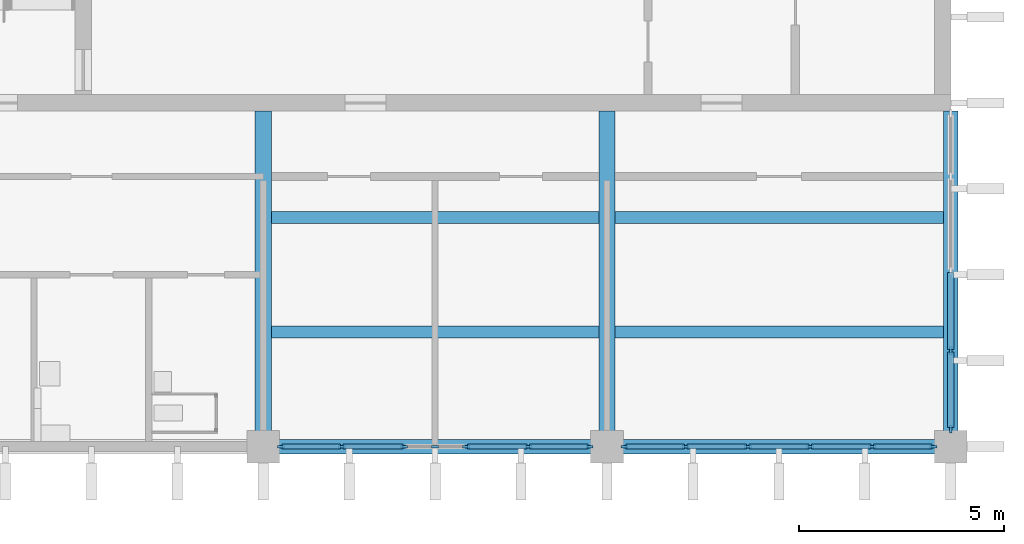
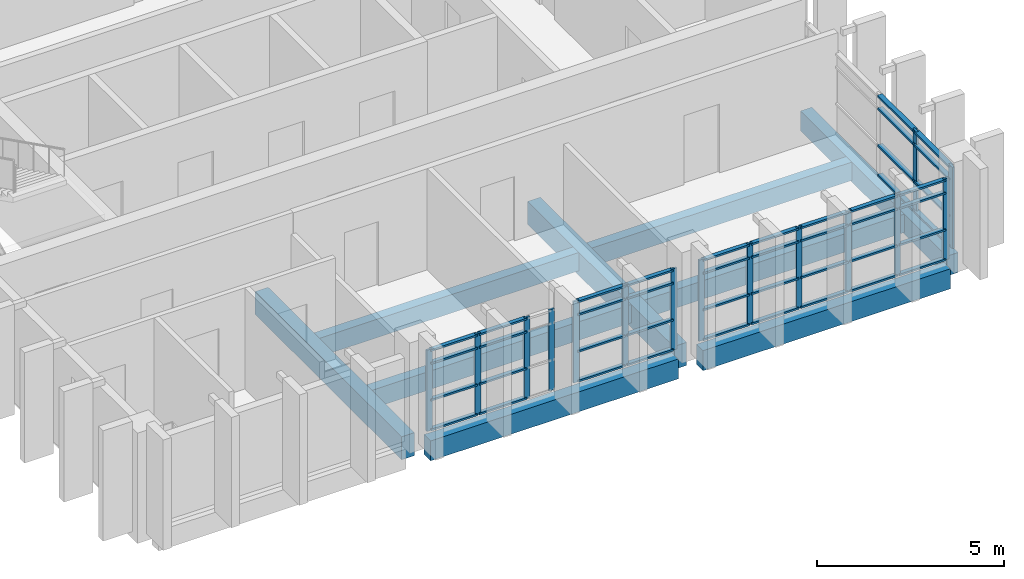
# One storey, part 2 of 11: 59 members, 9 beams, 3 elements without a shape of their own.
"""IFC4 building model written with IfcOpenShell, lengths in metres."""

from ifc_helpers import new_model, si_unit, direction, frame, origin, origin_2d, place, context, subcontext, project, spatial, rectangle, extrude, material, layer, layer_set, material_profile, profile_set, type_object, element, aggregate, save


model = new_model("IFC4")

# Units and contexts
model_context = context("Model", 3, precision=1e-05, world=origin(), true_north=direction((0.0, 1.0)))
body_context = subcontext(model_context, "Body", "Model", "MODEL_VIEW")
ifc_project = project(units=[si_unit("LENGTHUNIT", "METRE"), si_unit("AREAUNIT", "SQUARE_METRE"), si_unit("VOLUMEUNIT", "CUBIC_METRE"), si_unit("PLANEANGLEUNIT", "RADIAN"), si_unit("MASSUNIT", "GRAM", prefix="KILO")], contexts=[model_context])

# Site, building, storey
site_placement = place(None, origin())
site = spatial("IfcSite", under=ifc_project, at=site_placement, CompositionType="ELEMENT")
building_placement = place(site_placement, origin())
building = spatial("IfcBuilding", under=site, at=building_placement, Name="Rulbaag Community and Learning Centre", CompositionType="ELEMENT")
storey_placement = place(building_placement, frame((0.0, 0.0, 43.199951171875)))
storey = spatial("IfcBuildingStorey", under=building, at=storey_placement, Name="L11", CompositionType="ELEMENT", Elevation=43.199951171875)

# Beams
ifc_material_1 = material(Name="Concrete M40", Category="concrete")
ifc_material_profile_1 = material_profile(ifc_material_1, rectangle(XDim=0.35009765625, YDim=0.64990234375, at=origin_2d()), Name="RB350x650")
ifc_profile_set_1 = profile_set([ifc_material_profile_1], Name="Concrete M40")
beam_type_1 = type_object("IfcBeamType", Name="B14 Tower edge beam, upper zone 350x650 Concrete M40", PredefinedType="BEAM", material=ifc_profile_set_1)
beam_1_placement = place(storey_placement, frame((151.580078125, 84.0, -0.550048828125), z_axis=(1.0, 0.0, 0.0), x_axis=(0.0, 1.0, 0.0)))
element("IfcBeam", 1, at=beam_1_placement, inside=storey, type_object=beam_type_1, Name="BM-L11-19K-20K", PredefinedType="BEAM", context=body_context, shape_type="SweptSolid", body=[
    extrude(rectangle(XDim=0.35009765625, YDim=0.64990234375, at=origin_2d()), origin(), (0.0, 0.0, 1.0), 7.639892578125),
])
beam_2_placement = place(storey_placement, frame((159.97998046875, 84.0, -0.550048828125), z_axis=(1.0, 0.0, 0.0), x_axis=(0.0, 1.0, 0.0)))
element("IfcBeam", 2, at=beam_2_placement, inside=storey, type_object=beam_type_1, Name="BM-L11-20K-21K", PredefinedType="BEAM", context=body_context, shape_type="SweptSolid", body=[
    extrude(rectangle(XDim=0.35009765625, YDim=0.64990234375, at=origin_2d()), origin(), (0.0, 0.0, 1.0), 7.64013671875),
])
beam_3_placement = place(storey_placement, frame((168.0, 84.3798828125, -0.550048828125), z_axis=(0.0, 1.0, 0.0), x_axis=(-1.0, 0.0, 0.0)))
element("IfcBeam", 3, at=beam_3_placement, inside=storey, type_object=beam_type_1, Name="BM-L11-21K-21L", PredefinedType="BEAM", context=body_context, shape_type="SweptSolid", body=[
    extrude(rectangle(XDim=0.35009765625, YDim=0.64990234375, at=origin_2d()), origin(), (0.0, 0.0, 1.0), 7.820068359375),
])
ifc_material_profile_2 = material_profile(ifc_material_1, rectangle(XDim=0.39990234375, YDim=0.75, at=origin_2d()), Name="RB400x750")
ifc_profile_set_2 = profile_set([ifc_material_profile_2], Name="Concrete M40")
beam_type_2 = type_object("IfcBeamType", Name="B15 Tower frame beam, middle zone 400x750 Concrete M40", PredefinedType="BEAM", material=ifc_profile_set_2)
for number, where, z_axis, x_axis, name in (
    (4, (151.199951171875, 84.3798828125, -0.599853515625), (0.0, 1.0, 0.0), (-1.0, 0.0, 0.0), "BM-L11-19K-19L"),
    (5, (159.60009765625, 84.3798828125, -0.599853515625), (0.0, 1.0, 0.0), (-1.0, 0.0, 0.0), "BM-L11-20K-20L"),
):
    element("IfcBeam", number, at=place(storey_placement, frame(where, z_axis=z_axis, x_axis=x_axis)), inside=storey, type_object=beam_type_2, Name=name, PredefinedType="BEAM", context=body_context, shape_type="SweptSolid", body=[
        extrude(rectangle(XDim=0.39990234375, YDim=0.75, at=origin_2d()), origin(), (0.0, 0.0, 1.0), 7.820068359375),
    ])
ifc_material_profile_3 = material_profile(ifc_material_1, rectangle(XDim=0.300048828125, YDim=0.60009765625, at=origin_2d()), Name="RB300x600")
ifc_profile_set_3 = profile_set([ifc_material_profile_3], Name="Concrete M40")
beam_type_3 = type_object("IfcBeamType", Name="B30 Secondary joist 300x600 Concrete M40", PredefinedType="BEAM", material=ifc_profile_set_3)
for number, where, z_axis, x_axis, name in (
    (6, (151.39990234375, 86.800048828125, -0.52490234375), (1.0, 0.0, 0.0), (0.0, 1.0, 0.0), "BM-JS-L11-19K-1"),
    (7, (151.39990234375, 89.60009765625, -0.52490234375), (1.0, 0.0, 0.0), (0.0, 1.0, 0.0), "BM-JS-L11-19K-2"),
):
    element("IfcBeam", number, at=place(storey_placement, frame(where, z_axis=z_axis, x_axis=x_axis)), inside=storey, type_object=beam_type_3, Name=name, PredefinedType="BEAM", context=body_context, shape_type="SweptSolid", body=[
        extrude(rectangle(XDim=0.300048828125, YDim=0.60009765625, at=origin_2d()), origin(), (0.0, 0.0, 1.0), 8.0),
    ])
for number, where, z_axis, x_axis, name in (
    (8, (159.800048828125, 86.800048828125, -0.52490234375), (1.0, 0.0, 0.0), (0.0, 1.0, 0.0), "BM-JS-L11-20K-1"),
    (9, (159.800048828125, 89.60009765625, -0.52490234375), (1.0, 0.0, 0.0), (0.0, 1.0, 0.0), "BM-JS-L11-20K-2"),
):
    element("IfcBeam", number, at=place(storey_placement, frame(where, z_axis=z_axis, x_axis=x_axis)), inside=storey, type_object=beam_type_3, Name=name, PredefinedType="BEAM", context=body_context, shape_type="SweptSolid", body=[
        extrude(rectangle(XDim=0.300048828125, YDim=0.60009765625, at=origin_2d()), origin(), (0.0, 0.0, 1.0), 8.02490234375),
    ])

# Curtain wall, members
ifc_material_2 = material(Name="Aluminium", Category="aluminium")
ifc_layer_1 = layer(ifc_material_2, 0.14990234375)
ifc_layer_set_1 = layer_set([ifc_layer_1], Name="CW-S")
curtain_wall_type_1 = type_object("IfcCurtainWallType", Name="CW-S", PredefinedType="USERDEFINED", material=ifc_layer_set_1)
curtain_wall_1_placement = place(storey_placement, origin())
curtain_wall_1 = element("IfcCurtainWall", 10, at=curtain_wall_1_placement, inside=storey, type_object=curtain_wall_type_1, Name="GS-L11-01", ObjectType="UNITISED CURTAIN WALL", PredefinedType="USERDEFINED")
ifc_material_3 = material(Name="Aluminium mullion", Category="aluminium")
ifc_material_profile_4 = material_profile(ifc_material_3, rectangle(XDim=0.06005859375, YDim=0.175048828125, at=origin_2d()), Name="AL 60x175")
ifc_profile_set_4 = profile_set([ifc_material_profile_4], Name="Aluminium mullion")
member_type_1 = type_object("IfcMemberType", Name="CW-S-MUL", PredefinedType="MULLION", material=ifc_profile_set_4)
member_1_placement = place(storey_placement, frame((151.6298828125, 84.0, 0.0), z_axis=(0.0, 0.0, 1.0), x_axis=(0.0, 1.0, 0.0)))
member_1 = element("IfcMember", 11, at=member_1_placement, type_object=member_type_1, Name="GS mullion 1", PredefinedType="MULLION", context=body_context, shape_type="SweptSolid", body=[
    extrude(rectangle(XDim=0.06005859375, YDim=0.175048828125, at=origin_2d()), origin(), (0.0, 0.0, 1.0), 2.650146484375),
])
member_2_placement = place(storey_placement, frame((153.1201171875, 84.0, 0.0), z_axis=(0.0, 0.0, 1.0), x_axis=(0.0, 1.0, 0.0)))
member_2 = element("IfcMember", 12, at=member_2_placement, type_object=member_type_1, Name="GS mullion 2", PredefinedType="MULLION", context=body_context, shape_type="SweptSolid", body=[
    extrude(rectangle(XDim=0.06005859375, YDim=0.175048828125, at=origin_2d()), origin(), (0.0, 0.0, 1.0), 2.650146484375),
])
member_3_placement = place(storey_placement, frame((154.639892578125, 84.0, 0.0), z_axis=(0.0, 0.0, 1.0), x_axis=(0.0, 1.0, 0.0)))
member_3 = element("IfcMember", 13, at=member_3_placement, type_object=member_type_1, Name="GS mullion 3", PredefinedType="MULLION", context=body_context, shape_type="SweptSolid", body=[
    extrude(rectangle(XDim=0.06005859375, YDim=0.175048828125, at=origin_2d()), origin(), (0.0, 0.0, 1.0), 2.650146484375),
])
member_4_placement = place(storey_placement, frame((155.39990234375, 84.0, 0.0), z_axis=(0.0, 0.0, 1.0), x_axis=(0.0, 1.0, 0.0)))
member_4 = element("IfcMember", 14, at=member_4_placement, type_object=member_type_1, Name="GS mullion 4", PredefinedType="MULLION", context=body_context, shape_type="SweptSolid", body=[
    extrude(rectangle(XDim=0.06005859375, YDim=0.175048828125, at=origin_2d()), origin(), (0.0, 0.0, 1.0), 2.650146484375),
])
member_5_placement = place(storey_placement, frame((156.159912109375, 84.0, 0.0), z_axis=(0.0, 0.0, 1.0), x_axis=(0.0, 1.0, 0.0)))
member_5 = element("IfcMember", 15, at=member_5_placement, type_object=member_type_1, Name="GS mullion 5", PredefinedType="MULLION", context=body_context, shape_type="SweptSolid", body=[
    extrude(rectangle(XDim=0.06005859375, YDim=0.175048828125, at=origin_2d()), origin(), (0.0, 0.0, 1.0), 2.650146484375),
])
member_6_placement = place(storey_placement, frame((157.679931640625, 84.0, 0.0), z_axis=(0.0, 0.0, 1.0), x_axis=(0.0, 1.0, 0.0)))
member_6 = element("IfcMember", 16, at=member_6_placement, type_object=member_type_1, Name="GS mullion 6", PredefinedType="MULLION", context=body_context, shape_type="SweptSolid", body=[
    extrude(rectangle(XDim=0.06005859375, YDim=0.175048828125, at=origin_2d()), origin(), (0.0, 0.0, 1.0), 2.650146484375),
])
member_7_placement = place(storey_placement, frame((159.169921875, 84.0, 0.0), z_axis=(0.0, 0.0, 1.0), x_axis=(0.0, 1.0, 0.0)))
member_7 = element("IfcMember", 17, at=member_7_placement, type_object=member_type_1, Name="GS mullion 7", PredefinedType="MULLION", context=body_context, shape_type="SweptSolid", body=[
    extrude(rectangle(XDim=0.06005859375, YDim=0.175048828125, at=origin_2d()), origin(), (0.0, 0.0, 1.0), 2.650146484375),
])

curtain_wall_2_placement = place(storey_placement, origin())
curtain_wall_2 = element("IfcCurtainWall", 18, at=curtain_wall_2_placement, inside=storey, type_object=curtain_wall_type_1, Name="GS-L11-02", ObjectType="UNITISED CURTAIN WALL", PredefinedType="USERDEFINED")
member_8_placement = place(storey_placement, frame((160.030029296875, 84.0, 0.0), z_axis=(0.0, 0.0, 1.0), x_axis=(0.0, 1.0, 0.0)))
member_8 = element("IfcMember", 19, at=member_8_placement, type_object=member_type_1, Name="GS mullion 1", PredefinedType="MULLION", context=body_context, shape_type="SweptSolid", body=[
    extrude(rectangle(XDim=0.06005859375, YDim=0.175048828125, at=origin_2d()), origin(), (0.0, 0.0, 1.0), 2.650146484375),
])
member_9_placement = place(storey_placement, frame((161.52001953125, 84.0, 0.0), z_axis=(0.0, 0.0, 1.0), x_axis=(0.0, 1.0, 0.0)))
member_9 = element("IfcMember", 20, at=member_9_placement, type_object=member_type_1, Name="GS mullion 2", PredefinedType="MULLION", context=body_context, shape_type="SweptSolid", body=[
    extrude(rectangle(XDim=0.06005859375, YDim=0.175048828125, at=origin_2d()), origin(), (0.0, 0.0, 1.0), 2.650146484375),
])
member_10_placement = place(storey_placement, frame((163.0400390625, 84.0, 0.0), z_axis=(0.0, 0.0, 1.0), x_axis=(0.0, 1.0, 0.0)))
member_10 = element("IfcMember", 21, at=member_10_placement, type_object=member_type_1, Name="GS mullion 3", PredefinedType="MULLION", context=body_context, shape_type="SweptSolid", body=[
    extrude(rectangle(XDim=0.06005859375, YDim=0.175048828125, at=origin_2d()), origin(), (0.0, 0.0, 1.0), 2.650146484375),
])
member_11_placement = place(storey_placement, frame((164.56005859375, 84.0, 0.0), z_axis=(0.0, 0.0, 1.0), x_axis=(0.0, 1.0, 0.0)))
member_11 = element("IfcMember", 22, at=member_11_placement, type_object=member_type_1, Name="GS mullion 4", PredefinedType="MULLION", context=body_context, shape_type="SweptSolid", body=[
    extrude(rectangle(XDim=0.06005859375, YDim=0.175048828125, at=origin_2d()), origin(), (0.0, 0.0, 1.0), 2.650146484375),
])
member_12_placement = place(storey_placement, frame((166.080078125, 84.0, 0.0), z_axis=(0.0, 0.0, 1.0), x_axis=(0.0, 1.0, 0.0)))
member_12 = element("IfcMember", 23, at=member_12_placement, type_object=member_type_1, Name="GS mullion 5", PredefinedType="MULLION", context=body_context, shape_type="SweptSolid", body=[
    extrude(rectangle(XDim=0.06005859375, YDim=0.175048828125, at=origin_2d()), origin(), (0.0, 0.0, 1.0), 2.650146484375),
])
member_13_placement = place(storey_placement, frame((167.570068359375, 84.0, 0.0), z_axis=(0.0, 0.0, 1.0), x_axis=(0.0, 1.0, 0.0)))
member_13 = element("IfcMember", 24, at=member_13_placement, type_object=member_type_1, Name="GS mullion 6", PredefinedType="MULLION", context=body_context, shape_type="SweptSolid", body=[
    extrude(rectangle(XDim=0.06005859375, YDim=0.175048828125, at=origin_2d()), origin(), (0.0, 0.0, 1.0), 2.650146484375),
])

# Member
ifc_material_4 = material(Name="Aluminium transom", Category="aluminium")
ifc_material_profile_5 = material_profile(ifc_material_4, rectangle(XDim=0.125, YDim=0.06005859375, at=origin_2d()), Name="AL 60x125 T")
ifc_profile_set_5 = profile_set([ifc_material_profile_5], Name="Aluminium transom")
member_type_2 = type_object("IfcMemberType", Name="CW-S-TRN", PredefinedType="USERDEFINED", material=ifc_profile_set_5)
member_14_placement = place(storey_placement, frame((151.659912109375, 84.0, 0.030029296875), z_axis=(1.0, 0.0, 0.0), x_axis=(0.0, 1.0, 0.0)))
member_14 = element("IfcMember", 25, at=member_14_placement, type_object=member_type_2, Name="GS transom 1.1", ObjectType="TRANSOM", PredefinedType="USERDEFINED", context=body_context, shape_type="SweptSolid", body=[
    extrude(rectangle(XDim=0.125, YDim=0.06005859375, at=origin_2d()), origin(), (0.0, 0.0, 1.0), 1.43017578125),
])

member_15_placement = place(storey_placement, frame((151.659912109375, 84.0, 1.0), z_axis=(1.0, 0.0, 0.0), x_axis=(0.0, 1.0, 0.0)))
member_15 = element("IfcMember", 26, at=member_15_placement, type_object=member_type_2, Name="GS transom 1.2", ObjectType="TRANSOM", PredefinedType="USERDEFINED", context=body_context, shape_type="SweptSolid", body=[
    extrude(rectangle(XDim=0.125, YDim=0.06005859375, at=origin_2d()), origin(), (0.0, 0.0, 1.0), 1.43017578125),
])

member_16_placement = place(storey_placement, frame((151.659912109375, 84.0, 2.199951171875), z_axis=(1.0, 0.0, 0.0), x_axis=(0.0, 1.0, 0.0)))
member_16 = element("IfcMember", 27, at=member_16_placement, type_object=member_type_2, Name="GS transom 1.3", ObjectType="TRANSOM", PredefinedType="USERDEFINED", context=body_context, shape_type="SweptSolid", body=[
    extrude(rectangle(XDim=0.125, YDim=0.06005859375, at=origin_2d()), origin(), (0.0, 0.0, 1.0), 1.43017578125),
])

member_17_placement = place(storey_placement, frame((151.659912109375, 84.0, 2.6201171875), z_axis=(1.0, 0.0, 0.0), x_axis=(0.0, 1.0, 0.0)))
member_17 = element("IfcMember", 28, at=member_17_placement, type_object=member_type_2, Name="GS transom 1.4", ObjectType="TRANSOM", PredefinedType="USERDEFINED", context=body_context, shape_type="SweptSolid", body=[
    extrude(rectangle(XDim=0.125, YDim=0.06005859375, at=origin_2d()), origin(), (0.0, 0.0, 1.0), 1.43017578125),
])

member_18_placement = place(storey_placement, frame((153.14990234375, 84.0, 0.030029296875), z_axis=(1.0, 0.0, 0.0), x_axis=(0.0, 1.0, 0.0)))
member_18 = element("IfcMember", 29, at=member_18_placement, type_object=member_type_2, Name="GS transom 2.1", ObjectType="TRANSOM", PredefinedType="USERDEFINED", context=body_context, shape_type="SweptSolid", body=[
    extrude(rectangle(XDim=0.125, YDim=0.06005859375, at=origin_2d()), origin(), (0.0, 0.0, 1.0), 1.460205078125),
])

member_19_placement = place(storey_placement, frame((153.14990234375, 84.0, 1.0), z_axis=(1.0, 0.0, 0.0), x_axis=(0.0, 1.0, 0.0)))
member_19 = element("IfcMember", 30, at=member_19_placement, type_object=member_type_2, Name="GS transom 2.2", ObjectType="TRANSOM", PredefinedType="USERDEFINED", context=body_context, shape_type="SweptSolid", body=[
    extrude(rectangle(XDim=0.125, YDim=0.06005859375, at=origin_2d()), origin(), (0.0, 0.0, 1.0), 1.460205078125),
])

member_20_placement = place(storey_placement, frame((153.14990234375, 84.0, 2.199951171875), z_axis=(1.0, 0.0, 0.0), x_axis=(0.0, 1.0, 0.0)))
member_20 = element("IfcMember", 31, at=member_20_placement, type_object=member_type_2, Name="GS transom 2.3", ObjectType="TRANSOM", PredefinedType="USERDEFINED", context=body_context, shape_type="SweptSolid", body=[
    extrude(rectangle(XDim=0.125, YDim=0.06005859375, at=origin_2d()), origin(), (0.0, 0.0, 1.0), 1.460205078125),
])

member_21_placement = place(storey_placement, frame((153.14990234375, 84.0, 2.6201171875), z_axis=(1.0, 0.0, 0.0), x_axis=(0.0, 1.0, 0.0)))
member_21 = element("IfcMember", 32, at=member_21_placement, type_object=member_type_2, Name="GS transom 2.4", ObjectType="TRANSOM", PredefinedType="USERDEFINED", context=body_context, shape_type="SweptSolid", body=[
    extrude(rectangle(XDim=0.125, YDim=0.06005859375, at=origin_2d()), origin(), (0.0, 0.0, 1.0), 1.460205078125),
])

member_22_placement = place(storey_placement, frame((156.18994140625, 84.0, 0.030029296875), z_axis=(1.0, 0.0, 0.0), x_axis=(0.0, 1.0, 0.0)))
member_22 = element("IfcMember", 33, at=member_22_placement, type_object=member_type_2, Name="GS transom 5.1", ObjectType="TRANSOM", PredefinedType="USERDEFINED", context=body_context, shape_type="SweptSolid", body=[
    extrude(rectangle(XDim=0.125, YDim=0.06005859375, at=origin_2d()), origin(), (0.0, 0.0, 1.0), 1.4599609375),
])

member_23_placement = place(storey_placement, frame((156.18994140625, 84.0, 1.0), z_axis=(1.0, 0.0, 0.0), x_axis=(0.0, 1.0, 0.0)))
member_23 = element("IfcMember", 34, at=member_23_placement, type_object=member_type_2, Name="GS transom 5.2", ObjectType="TRANSOM", PredefinedType="USERDEFINED", context=body_context, shape_type="SweptSolid", body=[
    extrude(rectangle(XDim=0.125, YDim=0.06005859375, at=origin_2d()), origin(), (0.0, 0.0, 1.0), 1.4599609375),
])

member_24_placement = place(storey_placement, frame((156.18994140625, 84.0, 2.199951171875), z_axis=(1.0, 0.0, 0.0), x_axis=(0.0, 1.0, 0.0)))
member_24 = element("IfcMember", 35, at=member_24_placement, type_object=member_type_2, Name="GS transom 5.3", ObjectType="TRANSOM", PredefinedType="USERDEFINED", context=body_context, shape_type="SweptSolid", body=[
    extrude(rectangle(XDim=0.125, YDim=0.06005859375, at=origin_2d()), origin(), (0.0, 0.0, 1.0), 1.4599609375),
])

member_25_placement = place(storey_placement, frame((156.18994140625, 84.0, 2.6201171875), z_axis=(1.0, 0.0, 0.0), x_axis=(0.0, 1.0, 0.0)))
member_25 = element("IfcMember", 36, at=member_25_placement, type_object=member_type_2, Name="GS transom 5.4", ObjectType="TRANSOM", PredefinedType="USERDEFINED", context=body_context, shape_type="SweptSolid", body=[
    extrude(rectangle(XDim=0.125, YDim=0.06005859375, at=origin_2d()), origin(), (0.0, 0.0, 1.0), 1.4599609375),
])

member_26_placement = place(storey_placement, frame((157.7099609375, 84.0, 0.030029296875), z_axis=(1.0, 0.0, 0.0), x_axis=(0.0, 1.0, 0.0)))
member_26 = element("IfcMember", 37, at=member_26_placement, type_object=member_type_2, Name="GS transom 6.1", ObjectType="TRANSOM", PredefinedType="USERDEFINED", context=body_context, shape_type="SweptSolid", body=[
    extrude(rectangle(XDim=0.125, YDim=0.06005859375, at=origin_2d()), origin(), (0.0, 0.0, 1.0), 1.429931640625),
])

member_27_placement = place(storey_placement, frame((157.7099609375, 84.0, 1.0), z_axis=(1.0, 0.0, 0.0), x_axis=(0.0, 1.0, 0.0)))
member_27 = element("IfcMember", 38, at=member_27_placement, type_object=member_type_2, Name="GS transom 6.2", ObjectType="TRANSOM", PredefinedType="USERDEFINED", context=body_context, shape_type="SweptSolid", body=[
    extrude(rectangle(XDim=0.125, YDim=0.06005859375, at=origin_2d()), origin(), (0.0, 0.0, 1.0), 1.429931640625),
])

member_28_placement = place(storey_placement, frame((157.7099609375, 84.0, 2.199951171875), z_axis=(1.0, 0.0, 0.0), x_axis=(0.0, 1.0, 0.0)))
member_28 = element("IfcMember", 39, at=member_28_placement, type_object=member_type_2, Name="GS transom 6.3", ObjectType="TRANSOM", PredefinedType="USERDEFINED", context=body_context, shape_type="SweptSolid", body=[
    extrude(rectangle(XDim=0.125, YDim=0.06005859375, at=origin_2d()), origin(), (0.0, 0.0, 1.0), 1.429931640625),
])

member_29_placement = place(storey_placement, frame((157.7099609375, 84.0, 2.6201171875), z_axis=(1.0, 0.0, 0.0), x_axis=(0.0, 1.0, 0.0)))
member_29 = element("IfcMember", 40, at=member_29_placement, type_object=member_type_2, Name="GS transom 6.4", ObjectType="TRANSOM", PredefinedType="USERDEFINED", context=body_context, shape_type="SweptSolid", body=[
    extrude(rectangle(XDim=0.125, YDim=0.06005859375, at=origin_2d()), origin(), (0.0, 0.0, 1.0), 1.429931640625),
])

aggregate(curtain_wall_1, [member_1, member_2, member_3, member_4, member_5, member_6, member_7, member_14, member_15, member_16, member_17, member_18, member_19, member_20, member_21, member_22, member_23, member_24, member_25, member_26, member_27, member_28, member_29])

member_30_placement = place(storey_placement, frame((160.06005859375, 84.0, 0.030029296875), z_axis=(1.0, 0.0, 0.0), x_axis=(0.0, 1.0, 0.0)))
member_30 = element("IfcMember", 41, at=member_30_placement, type_object=member_type_2, Name="GS transom 1.1", ObjectType="TRANSOM", PredefinedType="USERDEFINED", context=body_context, shape_type="SweptSolid", body=[
    extrude(rectangle(XDim=0.125, YDim=0.06005859375, at=origin_2d()), origin(), (0.0, 0.0, 1.0), 1.429931640625),
])

member_31_placement = place(storey_placement, frame((160.06005859375, 84.0, 1.0), z_axis=(1.0, 0.0, 0.0), x_axis=(0.0, 1.0, 0.0)))
member_31 = element("IfcMember", 42, at=member_31_placement, type_object=member_type_2, Name="GS transom 1.2", ObjectType="TRANSOM", PredefinedType="USERDEFINED", context=body_context, shape_type="SweptSolid", body=[
    extrude(rectangle(XDim=0.125, YDim=0.06005859375, at=origin_2d()), origin(), (0.0, 0.0, 1.0), 1.429931640625),
])

member_32_placement = place(storey_placement, frame((160.06005859375, 84.0, 2.199951171875), z_axis=(1.0, 0.0, 0.0), x_axis=(0.0, 1.0, 0.0)))
member_32 = element("IfcMember", 43, at=member_32_placement, type_object=member_type_2, Name="GS transom 1.3", ObjectType="TRANSOM", PredefinedType="USERDEFINED", context=body_context, shape_type="SweptSolid", body=[
    extrude(rectangle(XDim=0.125, YDim=0.06005859375, at=origin_2d()), origin(), (0.0, 0.0, 1.0), 1.429931640625),
])

member_33_placement = place(storey_placement, frame((160.06005859375, 84.0, 2.6201171875), z_axis=(1.0, 0.0, 0.0), x_axis=(0.0, 1.0, 0.0)))
member_33 = element("IfcMember", 44, at=member_33_placement, type_object=member_type_2, Name="GS transom 1.4", ObjectType="TRANSOM", PredefinedType="USERDEFINED", context=body_context, shape_type="SweptSolid", body=[
    extrude(rectangle(XDim=0.125, YDim=0.06005859375, at=origin_2d()), origin(), (0.0, 0.0, 1.0), 1.429931640625),
])

member_34_placement = place(storey_placement, frame((161.550048828125, 84.0, 0.030029296875), z_axis=(1.0, 0.0, 0.0), x_axis=(0.0, 1.0, 0.0)))
member_34 = element("IfcMember", 45, at=member_34_placement, type_object=member_type_2, Name="GS transom 2.1", ObjectType="TRANSOM", PredefinedType="USERDEFINED", context=body_context, shape_type="SweptSolid", body=[
    extrude(rectangle(XDim=0.125, YDim=0.06005859375, at=origin_2d()), origin(), (0.0, 0.0, 1.0), 1.4599609375),
])

member_35_placement = place(storey_placement, frame((161.550048828125, 84.0, 1.0), z_axis=(1.0, 0.0, 0.0), x_axis=(0.0, 1.0, 0.0)))
member_35 = element("IfcMember", 46, at=member_35_placement, type_object=member_type_2, Name="GS transom 2.2", ObjectType="TRANSOM", PredefinedType="USERDEFINED", context=body_context, shape_type="SweptSolid", body=[
    extrude(rectangle(XDim=0.125, YDim=0.06005859375, at=origin_2d()), origin(), (0.0, 0.0, 1.0), 1.4599609375),
])

member_36_placement = place(storey_placement, frame((161.550048828125, 84.0, 2.199951171875), z_axis=(1.0, 0.0, 0.0), x_axis=(0.0, 1.0, 0.0)))
member_36 = element("IfcMember", 47, at=member_36_placement, type_object=member_type_2, Name="GS transom 2.3", ObjectType="TRANSOM", PredefinedType="USERDEFINED", context=body_context, shape_type="SweptSolid", body=[
    extrude(rectangle(XDim=0.125, YDim=0.06005859375, at=origin_2d()), origin(), (0.0, 0.0, 1.0), 1.4599609375),
])

member_37_placement = place(storey_placement, frame((161.550048828125, 84.0, 2.6201171875), z_axis=(1.0, 0.0, 0.0), x_axis=(0.0, 1.0, 0.0)))
member_37 = element("IfcMember", 48, at=member_37_placement, type_object=member_type_2, Name="GS transom 2.4", ObjectType="TRANSOM", PredefinedType="USERDEFINED", context=body_context, shape_type="SweptSolid", body=[
    extrude(rectangle(XDim=0.125, YDim=0.06005859375, at=origin_2d()), origin(), (0.0, 0.0, 1.0), 1.4599609375),
])

member_38_placement = place(storey_placement, frame((163.070068359375, 84.0, 0.030029296875), z_axis=(1.0, 0.0, 0.0), x_axis=(0.0, 1.0, 0.0)))
member_38 = element("IfcMember", 49, at=member_38_placement, type_object=member_type_2, Name="GS transom 3.1", ObjectType="TRANSOM", PredefinedType="USERDEFINED", context=body_context, shape_type="SweptSolid", body=[
    extrude(rectangle(XDim=0.125, YDim=0.06005859375, at=origin_2d()), origin(), (0.0, 0.0, 1.0), 1.4599609375),
])

member_39_placement = place(storey_placement, frame((163.070068359375, 84.0, 1.0), z_axis=(1.0, 0.0, 0.0), x_axis=(0.0, 1.0, 0.0)))
member_39 = element("IfcMember", 50, at=member_39_placement, type_object=member_type_2, Name="GS transom 3.2", ObjectType="TRANSOM", PredefinedType="USERDEFINED", context=body_context, shape_type="SweptSolid", body=[
    extrude(rectangle(XDim=0.125, YDim=0.06005859375, at=origin_2d()), origin(), (0.0, 0.0, 1.0), 1.4599609375),
])

member_40_placement = place(storey_placement, frame((163.070068359375, 84.0, 2.199951171875), z_axis=(1.0, 0.0, 0.0), x_axis=(0.0, 1.0, 0.0)))
member_40 = element("IfcMember", 51, at=member_40_placement, type_object=member_type_2, Name="GS transom 3.3", ObjectType="TRANSOM", PredefinedType="USERDEFINED", context=body_context, shape_type="SweptSolid", body=[
    extrude(rectangle(XDim=0.125, YDim=0.06005859375, at=origin_2d()), origin(), (0.0, 0.0, 1.0), 1.4599609375),
])

member_41_placement = place(storey_placement, frame((163.070068359375, 84.0, 2.6201171875), z_axis=(1.0, 0.0, 0.0), x_axis=(0.0, 1.0, 0.0)))
member_41 = element("IfcMember", 52, at=member_41_placement, type_object=member_type_2, Name="GS transom 3.4", ObjectType="TRANSOM", PredefinedType="USERDEFINED", context=body_context, shape_type="SweptSolid", body=[
    extrude(rectangle(XDim=0.125, YDim=0.06005859375, at=origin_2d()), origin(), (0.0, 0.0, 1.0), 1.4599609375),
])

member_42_placement = place(storey_placement, frame((164.590087890625, 84.0, 0.030029296875), z_axis=(1.0, 0.0, 0.0), x_axis=(0.0, 1.0, 0.0)))
member_42 = element("IfcMember", 53, at=member_42_placement, type_object=member_type_2, Name="GS transom 4.1", ObjectType="TRANSOM", PredefinedType="USERDEFINED", context=body_context, shape_type="SweptSolid", body=[
    extrude(rectangle(XDim=0.125, YDim=0.06005859375, at=origin_2d()), origin(), (0.0, 0.0, 1.0), 1.4599609375),
])

member_43_placement = place(storey_placement, frame((164.590087890625, 84.0, 1.0), z_axis=(1.0, 0.0, 0.0), x_axis=(0.0, 1.0, 0.0)))
member_43 = element("IfcMember", 54, at=member_43_placement, type_object=member_type_2, Name="GS transom 4.2", ObjectType="TRANSOM", PredefinedType="USERDEFINED", context=body_context, shape_type="SweptSolid", body=[
    extrude(rectangle(XDim=0.125, YDim=0.06005859375, at=origin_2d()), origin(), (0.0, 0.0, 1.0), 1.4599609375),
])

member_44_placement = place(storey_placement, frame((164.590087890625, 84.0, 2.199951171875), z_axis=(1.0, 0.0, 0.0), x_axis=(0.0, 1.0, 0.0)))
member_44 = element("IfcMember", 55, at=member_44_placement, type_object=member_type_2, Name="GS transom 4.3", ObjectType="TRANSOM", PredefinedType="USERDEFINED", context=body_context, shape_type="SweptSolid", body=[
    extrude(rectangle(XDim=0.125, YDim=0.06005859375, at=origin_2d()), origin(), (0.0, 0.0, 1.0), 1.4599609375),
])

member_45_placement = place(storey_placement, frame((164.590087890625, 84.0, 2.6201171875), z_axis=(1.0, 0.0, 0.0), x_axis=(0.0, 1.0, 0.0)))
member_45 = element("IfcMember", 56, at=member_45_placement, type_object=member_type_2, Name="GS transom 4.4", ObjectType="TRANSOM", PredefinedType="USERDEFINED", context=body_context, shape_type="SweptSolid", body=[
    extrude(rectangle(XDim=0.125, YDim=0.06005859375, at=origin_2d()), origin(), (0.0, 0.0, 1.0), 1.4599609375),
])

member_46_placement = place(storey_placement, frame((166.110107421875, 84.0, 0.030029296875), z_axis=(1.0, 0.0, 0.0), x_axis=(0.0, 1.0, 0.0)))
member_46 = element("IfcMember", 57, at=member_46_placement, type_object=member_type_2, Name="GS transom 5.1", ObjectType="TRANSOM", PredefinedType="USERDEFINED", context=body_context, shape_type="SweptSolid", body=[
    extrude(rectangle(XDim=0.125, YDim=0.06005859375, at=origin_2d()), origin(), (0.0, 0.0, 1.0), 1.429931640625),
])

member_47_placement = place(storey_placement, frame((166.110107421875, 84.0, 1.0), z_axis=(1.0, 0.0, 0.0), x_axis=(0.0, 1.0, 0.0)))
member_47 = element("IfcMember", 58, at=member_47_placement, type_object=member_type_2, Name="GS transom 5.2", ObjectType="TRANSOM", PredefinedType="USERDEFINED", context=body_context, shape_type="SweptSolid", body=[
    extrude(rectangle(XDim=0.125, YDim=0.06005859375, at=origin_2d()), origin(), (0.0, 0.0, 1.0), 1.429931640625),
])

member_48_placement = place(storey_placement, frame((166.110107421875, 84.0, 2.199951171875), z_axis=(1.0, 0.0, 0.0), x_axis=(0.0, 1.0, 0.0)))
member_48 = element("IfcMember", 59, at=member_48_placement, type_object=member_type_2, Name="GS transom 5.3", ObjectType="TRANSOM", PredefinedType="USERDEFINED", context=body_context, shape_type="SweptSolid", body=[
    extrude(rectangle(XDim=0.125, YDim=0.06005859375, at=origin_2d()), origin(), (0.0, 0.0, 1.0), 1.429931640625),
])

member_49_placement = place(storey_placement, frame((166.110107421875, 84.0, 2.6201171875), z_axis=(1.0, 0.0, 0.0), x_axis=(0.0, 1.0, 0.0)))
member_49 = element("IfcMember", 60, at=member_49_placement, type_object=member_type_2, Name="GS transom 5.4", ObjectType="TRANSOM", PredefinedType="USERDEFINED", context=body_context, shape_type="SweptSolid", body=[
    extrude(rectangle(XDim=0.125, YDim=0.06005859375, at=origin_2d()), origin(), (0.0, 0.0, 1.0), 1.429931640625),
])

aggregate(curtain_wall_2, [member_8, member_9, member_10, member_11, member_12, member_13, member_30, member_31, member_32, member_33, member_34, member_35, member_36, member_37, member_38, member_39, member_40, member_41, member_42, member_43, member_44, member_45, member_46, member_47, member_48, member_49])

# Curtain wall, members
ifc_layer_2 = layer(ifc_material_2, 0.14990234375)
ifc_layer_set_2 = layer_set([ifc_layer_2], Name="CW-T")
curtain_wall_type_2 = type_object("IfcCurtainWallType", Name="CW-T", PredefinedType="USERDEFINED", material=ifc_layer_set_2)
curtain_wall_3_placement = place(storey_placement, origin())
curtain_wall_3 = element("IfcCurtainWall", 61, at=curtain_wall_3_placement, inside=storey, type_object=curtain_wall_type_2, Name="GT-L11-05", ObjectType="UNITISED CURTAIN WALL", PredefinedType="USERDEFINED")
ifc_material_profile_6 = material_profile(ifc_material_3, rectangle(XDim=0.06494140625, YDim=0.199951171875, at=origin_2d()), Name="AL 65x200")
ifc_profile_set_6 = profile_set([ifc_material_profile_6], Name="Aluminium mullion")
member_type_3 = type_object("IfcMemberType", Name="CW-T-MUL", PredefinedType="MULLION", material=ifc_profile_set_6)
member_50_placement = place(storey_placement, frame((168.0, 84.4326171875, 0.0), z_axis=(0.0, 0.0, 1.0), x_axis=(-1.0, 0.0, 0.0)))
member_50 = element("IfcMember", 62, at=member_50_placement, type_object=member_type_3, Name="GT mullion 1", PredefinedType="MULLION", context=body_context, shape_type="SweptSolid", body=[
    extrude(rectangle(XDim=0.06494140625, YDim=0.199951171875, at=origin_2d()), origin(), (0.0, 0.0, 1.0), 2.650146484375),
])
member_51_placement = place(storey_placement, frame((168.0, 86.34375, 0.0), z_axis=(0.0, 0.0, 1.0), x_axis=(-1.0, 0.0, 0.0)))
member_51 = element("IfcMember", 63, at=member_51_placement, type_object=member_type_3, Name="GT mullion 2", PredefinedType="MULLION", context=body_context, shape_type="SweptSolid", body=[
    extrude(rectangle(XDim=0.06494140625, YDim=0.199951171875, at=origin_2d()), origin(), (0.0, 0.0, 1.0), 2.650146484375),
])
ifc_material_profile_7 = material_profile(ifc_material_4, rectangle(XDim=0.14990234375, YDim=0.06494140625, at=origin_2d()), Name="AL 65x150 T")
ifc_profile_set_7 = profile_set([ifc_material_profile_7], Name="Aluminium transom")
member_type_4 = type_object("IfcMemberType", Name="CW-T-TRN", PredefinedType="USERDEFINED", material=ifc_profile_set_7)
member_52_placement = place(storey_placement, frame((168.0, 84.465087890625, 0.032470703125), z_axis=(0.0, 1.0, 0.0), x_axis=(-1.0, 0.0, 0.0)))
member_52 = element("IfcMember", 64, at=member_52_placement, type_object=member_type_4, Name="GT transom 1.1", ObjectType="TRANSOM", PredefinedType="USERDEFINED", context=body_context, shape_type="SweptSolid", body=[
    extrude(rectangle(XDim=0.14990234375, YDim=0.06494140625, at=origin_2d()), origin(), (0.0, 0.0, 1.0), 1.84619140625),
])
member_53_placement = place(storey_placement, frame((168.0, 84.465087890625, 1.0), z_axis=(0.0, 1.0, 0.0), x_axis=(-1.0, 0.0, 0.0)))
member_53 = element("IfcMember", 65, at=member_53_placement, type_object=member_type_4, Name="GT transom 1.2", ObjectType="TRANSOM", PredefinedType="USERDEFINED", context=body_context, shape_type="SweptSolid", body=[
    extrude(rectangle(XDim=0.14990234375, YDim=0.06494140625, at=origin_2d()), origin(), (0.0, 0.0, 1.0), 1.84619140625),
])
member_54_placement = place(storey_placement, frame((168.0, 84.465087890625, 2.199951171875), z_axis=(0.0, 1.0, 0.0), x_axis=(-1.0, 0.0, 0.0)))
member_54 = element("IfcMember", 66, at=member_54_placement, type_object=member_type_4, Name="GT transom 1.3", ObjectType="TRANSOM", PredefinedType="USERDEFINED", context=body_context, shape_type="SweptSolid", body=[
    extrude(rectangle(XDim=0.14990234375, YDim=0.06494140625, at=origin_2d()), origin(), (0.0, 0.0, 1.0), 1.84619140625),
])
member_55_placement = place(storey_placement, frame((168.0, 84.465087890625, 2.617431640625), z_axis=(0.0, 1.0, 0.0), x_axis=(-1.0, 0.0, 0.0)))
member_55 = element("IfcMember", 67, at=member_55_placement, type_object=member_type_4, Name="GT transom 1.4", ObjectType="TRANSOM", PredefinedType="USERDEFINED", context=body_context, shape_type="SweptSolid", body=[
    extrude(rectangle(XDim=0.14990234375, YDim=0.06494140625, at=origin_2d()), origin(), (0.0, 0.0, 1.0), 1.84619140625),
])
member_56_placement = place(storey_placement, frame((168.0, 86.376220703125, 0.032470703125), z_axis=(0.0, 1.0, 0.0), x_axis=(-1.0, 0.0, 0.0)))
member_56 = element("IfcMember", 68, at=member_56_placement, type_object=member_type_4, Name="GT transom 2.1", ObjectType="TRANSOM", PredefinedType="USERDEFINED", context=body_context, shape_type="SweptSolid", body=[
    extrude(rectangle(XDim=0.14990234375, YDim=0.06494140625, at=origin_2d()), origin(), (0.0, 0.0, 1.0), 1.878662109375),
])
member_57_placement = place(storey_placement, frame((168.0, 86.376220703125, 1.0), z_axis=(0.0, 1.0, 0.0), x_axis=(-1.0, 0.0, 0.0)))
member_57 = element("IfcMember", 69, at=member_57_placement, type_object=member_type_4, Name="GT transom 2.2", ObjectType="TRANSOM", PredefinedType="USERDEFINED", context=body_context, shape_type="SweptSolid", body=[
    extrude(rectangle(XDim=0.14990234375, YDim=0.06494140625, at=origin_2d()), origin(), (0.0, 0.0, 1.0), 1.878662109375),
])
member_58_placement = place(storey_placement, frame((168.0, 86.376220703125, 2.199951171875), z_axis=(0.0, 1.0, 0.0), x_axis=(-1.0, 0.0, 0.0)))
member_58 = element("IfcMember", 70, at=member_58_placement, type_object=member_type_4, Name="GT transom 2.3", ObjectType="TRANSOM", PredefinedType="USERDEFINED", context=body_context, shape_type="SweptSolid", body=[
    extrude(rectangle(XDim=0.14990234375, YDim=0.06494140625, at=origin_2d()), origin(), (0.0, 0.0, 1.0), 1.878662109375),
])
member_59_placement = place(storey_placement, frame((168.0, 86.376220703125, 2.617431640625), z_axis=(0.0, 1.0, 0.0), x_axis=(-1.0, 0.0, 0.0)))
member_59 = element("IfcMember", 71, at=member_59_placement, type_object=member_type_4, Name="GT transom 2.4", ObjectType="TRANSOM", PredefinedType="USERDEFINED", context=body_context, shape_type="SweptSolid", body=[
    extrude(rectangle(XDim=0.14990234375, YDim=0.06494140625, at=origin_2d()), origin(), (0.0, 0.0, 1.0), 1.878662109375),
])
aggregate(curtain_wall_3, [member_50, member_51, member_52, member_53, member_54, member_55, member_56, member_57, member_58, member_59])

save(model, "model.ifc")
